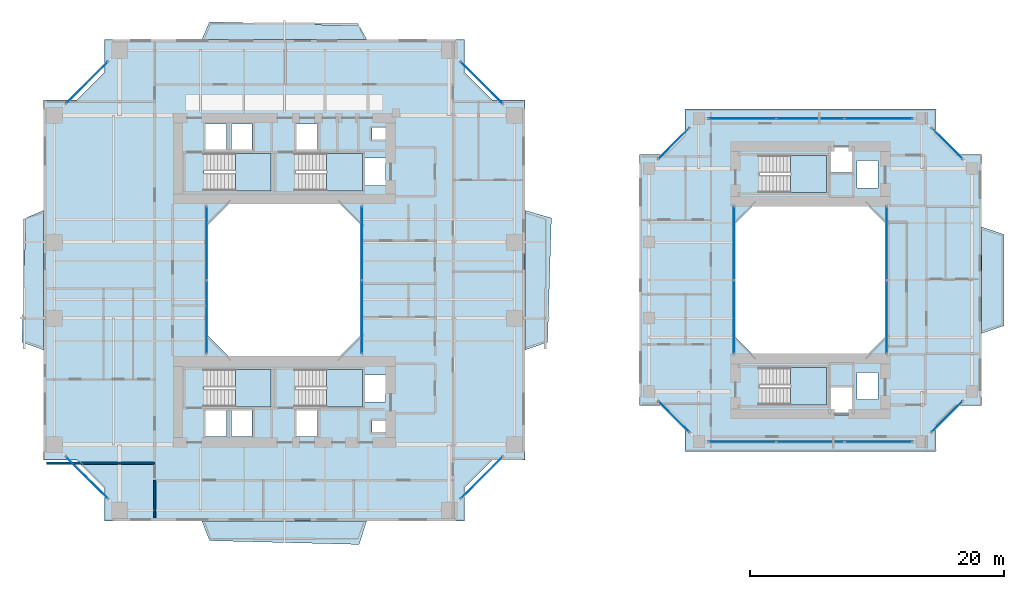
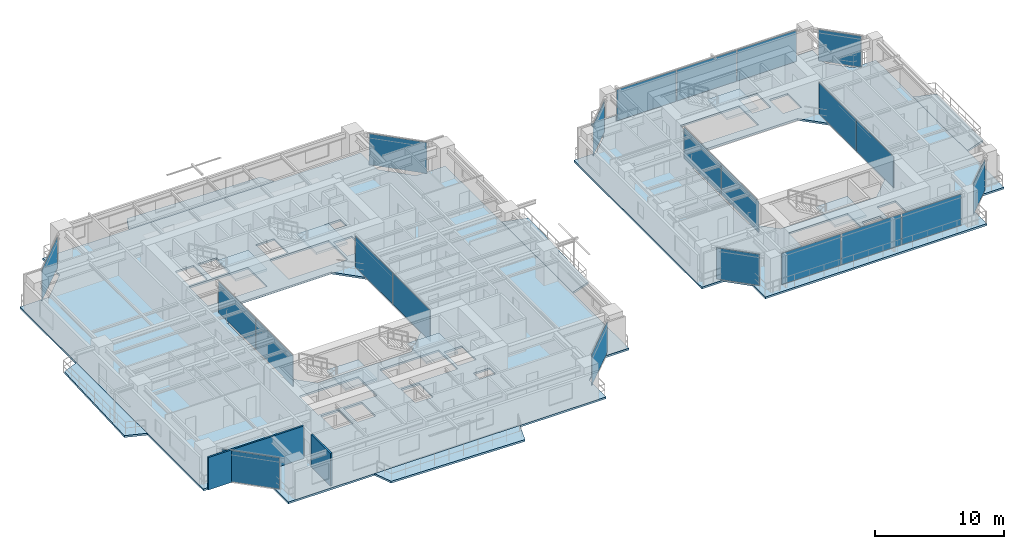
# One storey, part 11 of 23: 22 plates, 13 slabs, 2 walls, 20 elements without a shape of their own.
"""IFC4 building model written with IfcOpenShell, lengths in metres."""

from ifc_helpers import new_model, si_unit, direction, frame, frame_2d, origin, origin_2d, place, context, subcontext, project, spatial, polyline, rectangle, outline, extrude, source, transform, mapped, material, layer, layer_set, type_object, element, aggregate, save


model = new_model("IFC4")

# Units and contexts
model_context = context("Model", 3, precision=1e-05, world=origin(), true_north=direction((0.0, 1.0)))
body_context = subcontext(model_context, "Body", "Model", "MODEL_VIEW")
ifc_project = project(units=[si_unit("LENGTHUNIT", "METRE"), si_unit("AREAUNIT", "SQUARE_METRE"), si_unit("VOLUMEUNIT", "CUBIC_METRE"), si_unit("PLANEANGLEUNIT", "RADIAN"), si_unit("MASSUNIT", "GRAM", prefix="KILO"), si_unit("THERMODYNAMICTEMPERATUREUNIT", "KELVIN"), si_unit("POWERUNIT", "WATT")], contexts=[model_context])

# Site, building, storey
site_placement = place(None, origin())
site = spatial("IfcSite", under=ifc_project, at=site_placement, CompositionType="ELEMENT")
building_placement = place(site_placement, origin())
building = spatial("IfcBuilding", under=site, at=building_placement, Name="Qiaomeng Ring Towers", CompositionType="ELEMENT")
storey_placement = place(building_placement, frame((0.0, 0.0, 29.5)))
storey = spatial("IfcBuildingStorey", under=building, at=storey_placement, Name="L07", CompositionType="ELEMENT", Elevation=29.5)

# Slabs
ifc_material_1 = material(Name="Concrete C40", Category="concrete")
ifc_layer_1 = layer(ifc_material_1, 0.179931640625, Name="Concrete C40")
ifc_layer_set_1 = layer_set([ifc_layer_1], Name="Concrete C40")
slab_type_1 = type_object("IfcSlabType", Name="STR-SL-180", PredefinedType="FLOOR", material=ifc_layer_set_1)
slab_1_placement = place(storey_placement, frame((0.0, 0.0, -0.179931640625)))
element("IfcSlab", 1, at=slab_1_placement, inside=storey, type_object=slab_type_1, Name="L07 Tower 1 Annular Floor Slab", PredefinedType="FLOOR", context=body_context, shape_type="SweptSolid", body=[
    extrude(outline(polyline([(4.800048828125, 4.0), (33.199951171875, 4.0), (33.199951171875, 6.60009765625), (35.39990234375, 8.800048828125), (38.0, 8.800048828125), (38.0, 37.199951171875), (35.39990234375, 37.199951171875), (33.199951171875, 39.39990234375), (33.199951171875, 42.0), (4.800048828125, 42.0), (4.800048828125, 39.39990234375), (2.60009765625, 37.199951171875), (0.0, 37.199951171875), (0.0, 8.800048828125), (2.60009765625, 8.800048828125), (4.800048828125, 6.60009765625), (4.800048828125, 4.0)]), holes=[polyline([(12.780029296875, 10.679931640625), (12.780029296875, 12.820068359375), (14.419921875, 12.820068359375), (14.419921875, 10.679931640625), (12.780029296875, 10.679931640625)]), polyline([(14.830078125, 12.820068359375), (16.469970703125, 12.820068359375), (16.469970703125, 10.679931640625), (14.830078125, 10.679931640625), (14.830078125, 12.820068359375)]), polyline([(12.679931640625, 15.949951171875), (17.949951171875, 15.949951171875), (17.949951171875, 13.010009765625), (12.679931640625, 13.010009765625), (12.679931640625, 15.949951171875)]), polyline([(25.199951171875, 27.199951171875), (25.199951171875, 18.800048828125), (23.199951171875, 16.800048828125), (14.800048828125, 16.800048828125), (12.800048828125, 18.800048828125), (12.800048828125, 27.199951171875), (14.800048828125, 29.199951171875), (23.199951171875, 29.199951171875), (25.199951171875, 27.199951171875)]), polyline([(12.679931640625, 32.989990234375), (17.949951171875, 32.989990234375), (17.949951171875, 30.050048828125), (12.679931640625, 30.050048828125), (12.679931640625, 32.989990234375)]), polyline([(12.780029296875, 35.320068359375), (14.419921875, 35.320068359375), (14.419921875, 33.179931640625), (12.780029296875, 33.179931640625), (12.780029296875, 35.320068359375)]), polyline([(14.830078125, 35.320068359375), (16.469970703125, 35.320068359375), (16.469970703125, 33.179931640625), (14.830078125, 33.179931640625), (14.830078125, 35.320068359375)]), polyline([(19.97998046875, 35.320068359375), (21.6201171875, 35.320068359375), (21.6201171875, 33.179931640625), (19.97998046875, 33.179931640625), (19.97998046875, 35.320068359375)]), polyline([(25.919921875, 11.89990234375), (27.360107421875, 11.89990234375), (27.360107421875, 11.0), (25.919921875, 11.0), (25.919921875, 11.89990234375)]), polyline([(19.97998046875, 12.820068359375), (21.6201171875, 12.820068359375), (21.6201171875, 10.679931640625), (19.97998046875, 10.679931640625), (19.97998046875, 12.820068359375)]), polyline([(25.360107421875, 15.52001953125), (27.0, 15.52001953125), (27.0, 13.3798828125), (25.360107421875, 13.3798828125), (25.360107421875, 15.52001953125)]), polyline([(19.8798828125, 15.949951171875), (25.14990234375, 15.949951171875), (25.14990234375, 13.010009765625), (19.8798828125, 13.010009765625), (19.8798828125, 15.949951171875)]), polyline([(19.8798828125, 32.989990234375), (25.14990234375, 32.989990234375), (25.14990234375, 30.050048828125), (19.8798828125, 30.050048828125), (19.8798828125, 32.989990234375)]), polyline([(25.360107421875, 32.6201171875), (27.0, 32.6201171875), (27.0, 30.47998046875), (25.360107421875, 30.47998046875), (25.360107421875, 32.6201171875)]), polyline([(25.919921875, 35.0), (27.360107421875, 35.0), (27.360107421875, 34.10009765625), (25.919921875, 34.10009765625), (25.919921875, 35.0)])]), origin(), (0.0, 0.0, 1.0), 0.179931640625),
])
slab_2_placement = place(storey_placement, frame((0.0, 0.0, -0.179931640625)))
element("IfcSlab", 2, at=slab_2_placement, inside=storey, type_object=slab_type_1, Name="L07 Companion Tower 2 Annular Floor Slab", PredefinedType="FLOOR", context=body_context, shape_type="SweptSolid", body=[
    extrude(outline(polyline([(50.60009765625, 9.5), (70.39990234375, 9.5), (70.39990234375, 11.5), (72.0, 13.10009765625), (74.0, 13.10009765625), (74.0, 32.89990234375), (72.0, 32.89990234375), (70.39990234375, 34.5), (70.39990234375, 36.5), (50.60009765625, 36.5), (50.60009765625, 34.5), (49.0, 32.89990234375), (47.0, 32.89990234375), (47.0, 13.10009765625), (49.0, 13.10009765625), (50.60009765625, 11.5), (50.60009765625, 9.5)]), holes=[polyline([(62.1298828125, 12.3798828125), (62.1298828125, 14.52001953125), (63.77001953125, 14.52001953125), (63.77001953125, 12.3798828125), (62.1298828125, 12.3798828125)]), polyline([(56.47998046875, 13.159912109375), (56.47998046875, 16.10009765625), (61.75, 16.10009765625), (61.75, 13.159912109375), (56.47998046875, 13.159912109375)]), polyline([(64.179931640625, 13.580078125), (64.179931640625, 15.719970703125), (65.820068359375, 15.719970703125), (65.820068359375, 13.580078125), (64.179931640625, 13.580078125)]), polyline([(64.800048828125, 29.10009765625), (66.60009765625, 27.300048828125), (66.60009765625, 18.699951171875), (64.800048828125, 16.89990234375), (56.199951171875, 16.89990234375), (54.39990234375, 18.699951171875), (54.39990234375, 27.300048828125), (56.199951171875, 29.10009765625), (64.800048828125, 29.10009765625)]), polyline([(64.179931640625, 30.280029296875), (64.179931640625, 32.419921875), (65.820068359375, 32.419921875), (65.820068359375, 30.280029296875), (64.179931640625, 30.280029296875)]), polyline([(56.47998046875, 32.840087890625), (61.75, 32.840087890625), (61.75, 29.89990234375), (56.47998046875, 29.89990234375), (56.47998046875, 32.840087890625)]), polyline([(62.1298828125, 33.6201171875), (63.77001953125, 33.6201171875), (63.77001953125, 31.47998046875), (62.1298828125, 31.47998046875), (62.1298828125, 33.6201171875)])]), origin(), (0.0, 0.0, 1.0), 0.179931640625),
])
ifc_layer_2 = layer(ifc_material_1, 0.179931640625, Name="Concrete C40")
ifc_layer_set_2 = layer_set([ifc_layer_2], Name="Concrete C40")
slab_type_2 = type_object("IfcSlabType", Name="STR-SL-BAL", PredefinedType="FLOOR", material=ifc_layer_set_2)
slab_3_placement = place(storey_placement, frame((0.0, 0.0, -0.179931640625)))
element("IfcSlab", 3, at=slab_3_placement, inside=storey, type_object=slab_type_2, Name="L07 Tower 1 S Faceted Balcony Slab", PredefinedType="FLOOR", context=body_context, shape_type="SweptSolid", body=[
    extrude(outline(polyline([(24.89990234375, 2.14990234375), (13.10009765625, 2.449951171875), (12.5, 4.0), (25.5, 4.0), (24.89990234375, 2.14990234375)])), origin(), (0.0, 0.0, 1.0), 0.179931640625),
])
slab_4_placement = place(storey_placement, frame((0.0, 0.0, -0.179931640625)))
element("IfcSlab", 4, at=slab_4_placement, inside=storey, type_object=slab_type_2, Name="L07 Tower 1 E Faceted Balcony Slab", PredefinedType="FLOOR", context=body_context, shape_type="SweptSolid", body=[
    extrude(outline(polyline([(40.070068359375, 27.89990234375), (39.77001953125, 18.10009765625), (38.0, 17.5), (38.0, 28.5), (40.070068359375, 27.89990234375)])), origin(), (0.0, 0.0, 1.0), 0.179931640625),
])
slab_5_placement = place(storey_placement, frame((0.0, 0.0, -0.179931640625)))
element("IfcSlab", 5, at=slab_5_placement, inside=storey, type_object=slab_type_2, Name="L07 Tower 1 N Faceted Balcony Slab", PredefinedType="FLOOR", context=body_context, shape_type="SweptSolid", body=[
    extrude(outline(polyline([(12.5, 42.0), (13.10009765625, 43.3701171875), (24.89990234375, 43.070068359375), (25.5, 42.0), (12.5, 42.0)])), origin(), (0.0, 0.0, 1.0), 0.179931640625),
])
slab_6_placement = place(storey_placement, frame((0.0, 0.0, -0.179931640625)))
element("IfcSlab", 6, at=slab_6_placement, inside=storey, type_object=slab_type_2, Name="L07 Tower 1 W Faceted Balcony Slab", PredefinedType="FLOOR", context=body_context, shape_type="SweptSolid", body=[
    extrude(outline(polyline([(0.0, 17.5), (-1.699951171875, 18.10009765625), (-1.39990234375, 27.89990234375), (0.0, 28.5), (0.0, 17.5)])), origin(), (0.0, 0.0, 1.0), 0.179931640625),
])
slab_7_placement = place(storey_placement, frame((0.0, 0.0, -0.179931640625)))
element("IfcSlab", 7, at=slab_7_placement, inside=storey, type_object=slab_type_2, Name="L07 Companion East Faceted Balcony Slab", PredefinedType="FLOOR", context=body_context, shape_type="SweptSolid", body=[
    extrude(outline(polyline([(75.77001953125, 26.60009765625), (75.77001953125, 19.39990234375), (74.0, 18.800048828125), (74.0, 27.199951171875), (75.77001953125, 26.60009765625)])), origin(), (0.0, 0.0, 1.0), 0.179931640625),
])

# Stair, slab
ifc_material_2 = material(Name="Precast concrete C40", Category="concrete")
stair_type = type_object("IfcStairType", Name="ARC-ST-325", PredefinedType="HALF_TURN_STAIR", material=ifc_material_2)
stair_1_placement = place(storey_placement, origin())
stair_1 = element("IfcStair", 8, at=stair_1_placement, inside=storey, type_object=stair_type, Name="L07 Tower 1 North Stair 1", PredefinedType="HALF_TURN_STAIR")
ifc_layer_3 = layer(ifc_material_1, 0.199951171875, Name="Concrete C40")
ifc_layer_set_3 = layer_set([ifc_layer_3], Name="Concrete C40")
slab_type_3 = type_object("IfcSlabType", Name="STR-SL-LANDING", PredefinedType="LANDING", material=ifc_layer_set_3)
slab_8_placement = place(storey_placement, frame((0.0, 0.0, 1.425048828125)))
slab_8 = element("IfcSlab", 9, at=slab_8_placement, type_object=slab_type_3, Name="ST1 landing 1", PredefinedType="LANDING", context=body_context, shape_type="SweptSolid", body=[
    extrude(outline(polyline([(15.139892578125, 30.050048828125), (17.949951171875, 30.050048828125), (17.949951171875, 32.989990234375), (15.139892578125, 32.989990234375), (15.139892578125, 30.050048828125)])), origin(), (0.0, 0.0, 1.0), 0.199951171875),
])
aggregate(stair_1, [slab_8])

stair_2_placement = place(storey_placement, origin())
stair_2 = element("IfcStair", 10, at=stair_2_placement, inside=storey, type_object=stair_type, Name="L07 Tower 1 North Stair 2", PredefinedType="HALF_TURN_STAIR")
slab_9_placement = place(storey_placement, frame((0.0, 0.0, 1.425048828125)))
slab_9 = element("IfcSlab", 11, at=slab_9_placement, type_object=slab_type_3, Name="ST2 landing 1", PredefinedType="LANDING", context=body_context, shape_type="SweptSolid", body=[
    extrude(outline(polyline([(22.340087890625, 30.050048828125), (25.14990234375, 30.050048828125), (25.14990234375, 32.989990234375), (22.340087890625, 32.989990234375), (22.340087890625, 30.050048828125)])), origin(), (0.0, 0.0, 1.0), 0.199951171875),
])
aggregate(stair_2, [slab_9])

stair_3_placement = place(storey_placement, origin())
stair_3 = element("IfcStair", 12, at=stair_3_placement, inside=storey, type_object=stair_type, Name="L07 Tower 1 South Stair 3", PredefinedType="HALF_TURN_STAIR")
slab_10_placement = place(storey_placement, frame((0.0, 0.0, 1.425048828125)))
slab_10 = element("IfcSlab", 13, at=slab_10_placement, type_object=slab_type_3, Name="ST3 landing 1", PredefinedType="LANDING", context=body_context, shape_type="SweptSolid", body=[
    extrude(outline(polyline([(15.139892578125, 13.010009765625), (17.949951171875, 13.010009765625), (17.949951171875, 15.949951171875), (15.139892578125, 15.949951171875), (15.139892578125, 13.010009765625)])), origin(), (0.0, 0.0, 1.0), 0.199951171875),
])
aggregate(stair_3, [slab_10])

stair_4_placement = place(storey_placement, origin())
stair_4 = element("IfcStair", 14, at=stair_4_placement, inside=storey, type_object=stair_type, Name="L07 Tower 1 South Stair 4", PredefinedType="HALF_TURN_STAIR")
slab_11_placement = place(storey_placement, frame((0.0, 0.0, 1.425048828125)))
slab_11 = element("IfcSlab", 15, at=slab_11_placement, type_object=slab_type_3, Name="ST4 landing 1", PredefinedType="LANDING", context=body_context, shape_type="SweptSolid", body=[
    extrude(outline(polyline([(22.340087890625, 13.010009765625), (25.14990234375, 13.010009765625), (25.14990234375, 15.949951171875), (22.340087890625, 15.949951171875), (22.340087890625, 13.010009765625)])), origin(), (0.0, 0.0, 1.0), 0.199951171875),
])
aggregate(stair_4, [slab_11])

stair_5_placement = place(storey_placement, origin())
stair_5 = element("IfcStair", 16, at=stair_5_placement, inside=storey, type_object=stair_type, Name="L07 Companion North Stair 5", PredefinedType="HALF_TURN_STAIR")
slab_12_placement = place(storey_placement, frame((0.0, 0.0, 1.425048828125)))
slab_12 = element("IfcSlab", 17, at=slab_12_placement, type_object=slab_type_3, Name="ST5 landing 1", PredefinedType="LANDING", context=body_context, shape_type="SweptSolid", body=[
    extrude(outline(polyline([(58.93994140625, 29.89990234375), (61.75, 29.89990234375), (61.75, 32.840087890625), (58.93994140625, 32.840087890625), (58.93994140625, 29.89990234375)])), origin(), (0.0, 0.0, 1.0), 0.199951171875),
])
aggregate(stair_5, [slab_12])

stair_6_placement = place(storey_placement, origin())
stair_6 = element("IfcStair", 18, at=stair_6_placement, inside=storey, type_object=stair_type, Name="L07 Companion South Stair 6", PredefinedType="HALF_TURN_STAIR")
slab_13_placement = place(storey_placement, frame((0.0, 0.0, 1.425048828125)))
slab_13 = element("IfcSlab", 19, at=slab_13_placement, type_object=slab_type_3, Name="ST6 landing 1", PredefinedType="LANDING", context=body_context, shape_type="SweptSolid", body=[
    extrude(outline(polyline([(58.93994140625, 13.159912109375), (61.75, 13.159912109375), (61.75, 16.10009765625), (58.93994140625, 16.10009765625), (58.93994140625, 13.159912109375)])), origin(), (0.0, 0.0, 1.0), 0.199951171875),
])
aggregate(stair_6, [slab_13])

# Curtain wall, plates
ifc_material_3 = material(Name="Fluorocarbon dark-grey aluminium", Category="aluminium")
ifc_layer_4 = layer(ifc_material_3, 0.139892578125, Name="Fluorocarbon dark-grey aluminium")
ifc_layer_set_4 = layer_set([ifc_layer_4], Name="Fluorocarbon dark-grey aluminium")
curtain_wall_type_1 = type_object("IfcCurtainWallType", Name="ARC-CW-4", PredefinedType="NOTDEFINED", material=ifc_layer_set_4)
curtain_wall_1_placement = place(storey_placement, origin())
curtain_wall_1 = element("IfcCurtainWall", 20, at=curtain_wall_1_placement, inside=storey, type_object=curtain_wall_type_1, Name="L07 Curtain Wall CW4", PredefinedType="NOTDEFINED")
ifc_material_4 = material(Name="Low-E dark-grey laminated double glazing", Category="glass")
ifc_layer_5 = layer(ifc_material_4, 0.028076171875, Name="Low-E dark-grey laminated double glazing")
ifc_layer_set_5 = layer_set([ifc_layer_5], Name="Low-E dark-grey laminated double glazing")
plate_type = type_object("IfcPlateType", Name="ARC-CWP-DARK", PredefinedType="CURTAIN_PANEL", material=ifc_layer_set_5)
shared_shape_1 = source(origin(), body_context, "Body", "SweptSolid", [
    extrude(rectangle(XDim=5.75244140625, YDim=0.028076171875, at=origin_2d()), origin(), (0.0, 0.0, 1.0), 2.93994140625),
])
plate_1_placement = place(storey_placement, frame((12.8798828125, 20.09130859375, 0.06494140625), z_axis=(0.0, 0.0, 1.0), x_axis=(0.0, 1.0, 0.0)))
plate_1 = element("IfcPlate", 21, at=plate_1_placement, type_object=plate_type, Name="CW4 panel 1.1", PredefinedType="CURTAIN_PANEL", context=body_context, shape_type="MappedRepresentation", body=[
    mapped(shared_shape_1, transform((0.0, 0.0, 0.0), x_axis=(1.0, 0.0, 0.0), y_axis=(0.0, 1.0, 0.0), z_axis=(0.0, 0.0, 1.0), scale=1.0)),
])
plate_2_placement = place(storey_placement, frame((12.8798828125, 25.90869140625, 0.06494140625), z_axis=(0.0, 0.0, 1.0), x_axis=(0.0, 1.0, 0.0)))
plate_2 = element("IfcPlate", 22, at=plate_2_placement, type_object=plate_type, Name="CW4 panel 2.1", PredefinedType="CURTAIN_PANEL", context=body_context, shape_type="MappedRepresentation", body=[
    mapped(shared_shape_1, transform((0.0, 0.0, 0.0), x_axis=(1.0, 0.0, 0.0), y_axis=(0.0, 1.0, 0.0), z_axis=(0.0, 0.0, 1.0), scale=1.0)),
])
aggregate(curtain_wall_1, [plate_1, plate_2])

curtain_wall_2_placement = place(storey_placement, origin())
curtain_wall_2 = element("IfcCurtainWall", 23, at=curtain_wall_2_placement, inside=storey, type_object=curtain_wall_type_1, Name="L07 Curtain Wall CW4", PredefinedType="NOTDEFINED")
plate_3_placement = place(storey_placement, frame((25.1201171875, 20.09130859375, 0.06494140625), z_axis=(0.0, 0.0, 1.0), x_axis=(0.0, 1.0, 0.0)))
plate_3 = element("IfcPlate", 24, at=plate_3_placement, type_object=plate_type, Name="CW4 panel 1.1", PredefinedType="CURTAIN_PANEL", context=body_context, shape_type="MappedRepresentation", body=[
    mapped(shared_shape_1, transform((0.0, 0.0, 0.0), x_axis=(1.0, 0.0, 0.0), y_axis=(0.0, 1.0, 0.0), z_axis=(0.0, 0.0, 1.0), scale=1.0)),
])
plate_4_placement = place(storey_placement, frame((25.1201171875, 25.90869140625, 0.06494140625), z_axis=(0.0, 0.0, 1.0), x_axis=(0.0, 1.0, 0.0)))
plate_4 = element("IfcPlate", 25, at=plate_4_placement, type_object=plate_type, Name="CW4 panel 2.1", PredefinedType="CURTAIN_PANEL", context=body_context, shape_type="MappedRepresentation", body=[
    mapped(shared_shape_1, transform((0.0, 0.0, 0.0), x_axis=(1.0, 0.0, 0.0), y_axis=(0.0, 1.0, 0.0), z_axis=(0.0, 0.0, 1.0), scale=1.0)),
])
aggregate(curtain_wall_2, [plate_3, plate_4])

curtain_wall_3_placement = place(storey_placement, origin())
curtain_wall_3 = element("IfcCurtainWall", 26, at=curtain_wall_3_placement, inside=storey, type_object=curtain_wall_type_1, Name="L07 Curtain Wall CW4", PredefinedType="NOTDEFINED")
plate_5_placement = place(storey_placement, frame((54.47998046875, 20.09130859375, 0.06494140625), z_axis=(0.0, 0.0, 1.0), x_axis=(0.0, 1.0, 0.0)))
plate_5 = element("IfcPlate", 27, at=plate_5_placement, type_object=plate_type, Name="CW4 panel 1.1", PredefinedType="CURTAIN_PANEL", context=body_context, shape_type="MappedRepresentation", body=[
    mapped(shared_shape_1, transform((0.0, 0.0, 0.0), x_axis=(1.0, 0.0, 0.0), y_axis=(0.0, 1.0, 0.0), z_axis=(0.0, 0.0, 1.0), scale=1.0)),
])
plate_6_placement = place(storey_placement, frame((54.47998046875, 25.90869140625, 0.06494140625), z_axis=(0.0, 0.0, 1.0), x_axis=(0.0, 1.0, 0.0)))
plate_6 = element("IfcPlate", 28, at=plate_6_placement, type_object=plate_type, Name="CW4 panel 2.1", PredefinedType="CURTAIN_PANEL", context=body_context, shape_type="MappedRepresentation", body=[
    mapped(shared_shape_1, transform((0.0, 0.0, 0.0), x_axis=(1.0, 0.0, 0.0), y_axis=(0.0, 1.0, 0.0), z_axis=(0.0, 0.0, 1.0), scale=1.0)),
])
aggregate(curtain_wall_3, [plate_5, plate_6])

curtain_wall_4_placement = place(storey_placement, origin())
curtain_wall_4 = element("IfcCurtainWall", 29, at=curtain_wall_4_placement, inside=storey, type_object=curtain_wall_type_1, Name="L07 Curtain Wall CW4", PredefinedType="NOTDEFINED")
plate_7_placement = place(storey_placement, frame((66.52001953125, 20.09130859375, 0.06494140625), z_axis=(0.0, 0.0, 1.0), x_axis=(0.0, 1.0, 0.0)))
plate_7 = element("IfcPlate", 30, at=plate_7_placement, type_object=plate_type, Name="CW4 panel 1.1", PredefinedType="CURTAIN_PANEL", context=body_context, shape_type="MappedRepresentation", body=[
    mapped(shared_shape_1, transform((0.0, 0.0, 0.0), x_axis=(1.0, 0.0, 0.0), y_axis=(0.0, 1.0, 0.0), z_axis=(0.0, 0.0, 1.0), scale=1.0)),
])
plate_8_placement = place(storey_placement, frame((66.52001953125, 25.90869140625, 0.06494140625), z_axis=(0.0, 0.0, 1.0), x_axis=(0.0, 1.0, 0.0)))
plate_8 = element("IfcPlate", 31, at=plate_8_placement, type_object=plate_type, Name="CW4 panel 2.1", PredefinedType="CURTAIN_PANEL", context=body_context, shape_type="MappedRepresentation", body=[
    mapped(shared_shape_1, transform((0.0, 0.0, 0.0), x_axis=(1.0, 0.0, 0.0), y_axis=(0.0, 1.0, 0.0), z_axis=(0.0, 0.0, 1.0), scale=1.0)),
])
aggregate(curtain_wall_4, [plate_7, plate_8])

# Curtain wall, plate
ifc_layer_6 = layer(ifc_material_3, 0.159912109375, Name="Fluorocarbon dark-grey aluminium")
ifc_layer_set_6 = layer_set([ifc_layer_6], Name="Fluorocarbon dark-grey aluminium")
curtain_wall_type_2 = type_object("IfcCurtainWallType", Name="ARC-CW-2", PredefinedType="NOTDEFINED", material=ifc_layer_set_6)
curtain_wall_5_placement = place(storey_placement, origin())
curtain_wall_5 = element("IfcCurtainWall", 32, at=curtain_wall_5_placement, inside=storey, type_object=curtain_wall_type_2, Name="L07 Curtain Wall CW2", PredefinedType="NOTDEFINED")
shared_shape_2 = source(origin(), body_context, "Body", "SweptSolid", [
    extrude(rectangle(XDim=4.6259765625, YDim=0.028076171875, at=origin_2d()), origin(), (0.0, 0.0, 1.0), 2.93994140625),
])
plate_9_placement = place(storey_placement, frame((34.574951171875, 7.425048828125, 0.06494140625), z_axis=(0.0, 0.0, 1.0), x_axis=(0.707106781187, 0.707106781187, 0.0)))
plate_9 = element("IfcPlate", 33, at=plate_9_placement, type_object=plate_type, Name="CW2 panel 1.1", PredefinedType="CURTAIN_PANEL", context=body_context, shape_type="MappedRepresentation", body=[
    mapped(shared_shape_2, transform((0.0, 0.0, 0.0), x_axis=(1.0, 0.0, 0.0), y_axis=(0.0, 1.0, 0.0), z_axis=(0.0, 0.0, 1.0), scale=1.0)),
])
aggregate(curtain_wall_5, [plate_9])

curtain_wall_6_placement = place(storey_placement, origin())
curtain_wall_6 = element("IfcCurtainWall", 34, at=curtain_wall_6_placement, inside=storey, type_object=curtain_wall_type_2, Name="L07 Curtain Wall CW2", PredefinedType="NOTDEFINED")
plate_10_placement = place(storey_placement, frame((34.574951171875, 38.574951171875, 0.06494140625), z_axis=(0.0, 0.0, 1.0), x_axis=(-0.707106781187, 0.707106781187, 0.0)))
plate_10 = element("IfcPlate", 35, at=plate_10_placement, type_object=plate_type, Name="CW2 panel 1.1", PredefinedType="CURTAIN_PANEL", context=body_context, shape_type="MappedRepresentation", body=[
    mapped(shared_shape_2, transform((0.0, 0.0, 0.0), x_axis=(1.0, 0.0, 0.0), y_axis=(0.0, 1.0, 0.0), z_axis=(0.0, 0.0, 1.0), scale=1.0)),
])
aggregate(curtain_wall_6, [plate_10])

curtain_wall_7_placement = place(storey_placement, origin())
curtain_wall_7 = element("IfcCurtainWall", 36, at=curtain_wall_7_placement, inside=storey, type_object=curtain_wall_type_2, Name="L07 Curtain Wall CW2", PredefinedType="NOTDEFINED")
plate_11_placement = place(storey_placement, frame((3.425048828125, 38.574951171875, 0.06494140625), z_axis=(0.0, 0.0, 1.0), x_axis=(-0.707106781187, -0.707106781187, 0.0)))
plate_11 = element("IfcPlate", 37, at=plate_11_placement, type_object=plate_type, Name="CW2 panel 1.1", PredefinedType="CURTAIN_PANEL", context=body_context, shape_type="MappedRepresentation", body=[
    mapped(shared_shape_2, transform((0.0, 0.0, 0.0), x_axis=(1.0, 0.0, 0.0), y_axis=(0.0, 1.0, 0.0), z_axis=(0.0, 0.0, 1.0), scale=1.0)),
])
aggregate(curtain_wall_7, [plate_11])

curtain_wall_8_placement = place(storey_placement, origin())
curtain_wall_8 = element("IfcCurtainWall", 38, at=curtain_wall_8_placement, inside=storey, type_object=curtain_wall_type_2, Name="L07 Curtain Wall CW2", PredefinedType="NOTDEFINED")
plate_12_placement = place(storey_placement, frame((3.425048828125, 7.425048828125, 0.06494140625), z_axis=(0.0, 0.0, 1.0), x_axis=(0.707106781187, -0.707106781187, 0.0)))
plate_12 = element("IfcPlate", 39, at=plate_12_placement, type_object=plate_type, Name="CW2 panel 1.1", PredefinedType="CURTAIN_PANEL", context=body_context, shape_type="MappedRepresentation", body=[
    mapped(shared_shape_2, transform((0.0, 0.0, 0.0), x_axis=(1.0, 0.0, 0.0), y_axis=(0.0, 1.0, 0.0), z_axis=(0.0, 0.0, 1.0), scale=1.0)),
])
aggregate(curtain_wall_8, [plate_12])

# Curtain wall, plates
ifc_layer_7 = layer(ifc_material_3, 0.14990234375, Name="Fluorocarbon dark-grey aluminium")
ifc_layer_set_7 = layer_set([ifc_layer_7], Name="Fluorocarbon dark-grey aluminium")
curtain_wall_type_3 = type_object("IfcCurtainWallType", Name="ARC-CW-5", PredefinedType="NOTDEFINED", material=ifc_layer_set_7)
curtain_wall_9_placement = place(storey_placement, origin())
curtain_wall_9 = element("IfcCurtainWall", 40, at=curtain_wall_9_placement, inside=storey, type_object=curtain_wall_type_3, Name="L07 Curtain Wall CW5", PredefinedType="NOTDEFINED")
shared_shape_3 = source(origin(), body_context, "Body", "SweptSolid", [
    extrude(rectangle(XDim=5.284912109375, YDim=0.028076171875, at=origin_2d()), origin(), (0.0, 0.0, 1.0), 2.93994140625),
])
plate_13_placement = place(storey_placement, frame((55.12744140625, 35.75, 0.06494140625), z_axis=(0.0, 0.0, 1.0), x_axis=(1.0, 0.0, 0.0)))
plate_13 = element("IfcPlate", 41, at=plate_13_placement, type_object=plate_type, Name="CW5 panel 1.1", PredefinedType="CURTAIN_PANEL", context=body_context, shape_type="MappedRepresentation", body=[
    mapped(shared_shape_3, transform((0.0, 0.0, 0.0), x_axis=(1.0, 0.0, 0.0), y_axis=(0.0, 1.0, 0.0), z_axis=(0.0, 0.0, 1.0), scale=1.0)),
])
plate_14_placement = place(storey_placement, frame((65.87255859375, 35.75, 0.06494140625), z_axis=(0.0, 0.0, 1.0), x_axis=(1.0, 0.0, 0.0)))
plate_14 = element("IfcPlate", 42, at=plate_14_placement, type_object=plate_type, Name="CW5 panel 3.1", PredefinedType="CURTAIN_PANEL", context=body_context, shape_type="MappedRepresentation", body=[
    mapped(shared_shape_3, transform((0.0, 0.0, 0.0), x_axis=(1.0, 0.0, 0.0), y_axis=(0.0, 1.0, 0.0), z_axis=(0.0, 0.0, 1.0), scale=1.0)),
])

curtain_wall_10_placement = place(storey_placement, origin())
curtain_wall_10 = element("IfcCurtainWall", 43, at=curtain_wall_10_placement, inside=storey, type_object=curtain_wall_type_3, Name="L07 Curtain Wall CW5", PredefinedType="NOTDEFINED")
plate_15_placement = place(storey_placement, frame((55.12744140625, 10.25, 0.06494140625), z_axis=(0.0, 0.0, 1.0), x_axis=(1.0, 0.0, 0.0)))
plate_15 = element("IfcPlate", 44, at=plate_15_placement, type_object=plate_type, Name="CW5 panel 1.1", PredefinedType="CURTAIN_PANEL", context=body_context, shape_type="MappedRepresentation", body=[
    mapped(shared_shape_3, transform((0.0, 0.0, 0.0), x_axis=(1.0, 0.0, 0.0), y_axis=(0.0, 1.0, 0.0), z_axis=(0.0, 0.0, 1.0), scale=1.0)),
])
plate_16_placement = place(storey_placement, frame((65.87255859375, 10.25, 0.06494140625), z_axis=(0.0, 0.0, 1.0), x_axis=(1.0, 0.0, 0.0)))
plate_16 = element("IfcPlate", 45, at=plate_16_placement, type_object=plate_type, Name="CW5 panel 3.1", PredefinedType="CURTAIN_PANEL", context=body_context, shape_type="MappedRepresentation", body=[
    mapped(shared_shape_3, transform((0.0, 0.0, 0.0), x_axis=(1.0, 0.0, 0.0), y_axis=(0.0, 1.0, 0.0), z_axis=(0.0, 0.0, 1.0), scale=1.0)),
])

# Plate
shared_shape_4 = source(origin(), body_context, "Body", "SweptSolid", [
    extrude(rectangle(XDim=5.320068359375, YDim=0.028076171875, at=origin_2d()), origin(), (0.0, 0.0, 1.0), 2.93994140625),
])
plate_17_placement = place(storey_placement, frame((60.5, 35.75, 0.06494140625), z_axis=(0.0, 0.0, 1.0), x_axis=(1.0, 0.0, 0.0)))
plate_17 = element("IfcPlate", 46, at=plate_17_placement, type_object=plate_type, Name="CW5 panel 2.1", PredefinedType="CURTAIN_PANEL", context=body_context, shape_type="MappedRepresentation", body=[
    mapped(shared_shape_4, transform((0.0, 0.0, 0.0), x_axis=(1.0, 0.0, 0.0), y_axis=(0.0, 1.0, 0.0), z_axis=(0.0, 0.0, 1.0), scale=1.0)),
])

aggregate(curtain_wall_9, [plate_13, plate_17, plate_14])

plate_18_placement = place(storey_placement, frame((60.5, 10.25, 0.06494140625), z_axis=(0.0, 0.0, 1.0), x_axis=(1.0, 0.0, 0.0)))
plate_18 = element("IfcPlate", 47, at=plate_18_placement, type_object=plate_type, Name="CW5 panel 2.1", PredefinedType="CURTAIN_PANEL", context=body_context, shape_type="MappedRepresentation", body=[
    mapped(shared_shape_4, transform((0.0, 0.0, 0.0), x_axis=(1.0, 0.0, 0.0), y_axis=(0.0, 1.0, 0.0), z_axis=(0.0, 0.0, 1.0), scale=1.0)),
])

aggregate(curtain_wall_10, [plate_15, plate_18, plate_16])

# Curtain wall, plate
curtain_wall_11_placement = place(storey_placement, origin())
curtain_wall_11 = element("IfcCurtainWall", 48, at=curtain_wall_11_placement, inside=storey, type_object=curtain_wall_type_3, Name="L07 Curtain Wall CW5", PredefinedType="NOTDEFINED")
shared_shape_5 = source(origin(), body_context, "Body", "SweptSolid", [
    extrude(rectangle(XDim=3.423828125, YDim=0.028076171875, at=origin_2d()), origin(), (0.0, 0.0, 1.0), 2.93994140625),
])
plate_19_placement = place(storey_placement, frame((71.27490234375, 12.22509765625, 0.06494140625), z_axis=(0.0, 0.0, 1.0), x_axis=(0.707106781187, 0.707106781187, 0.0)))
plate_19 = element("IfcPlate", 49, at=plate_19_placement, type_object=plate_type, Name="CW5 panel 1.1", PredefinedType="CURTAIN_PANEL", context=body_context, shape_type="MappedRepresentation", body=[
    mapped(shared_shape_5, transform((0.0, 0.0, 0.0), x_axis=(1.0, 0.0, 0.0), y_axis=(0.0, 1.0, 0.0), z_axis=(0.0, 0.0, 1.0), scale=1.0)),
])
aggregate(curtain_wall_11, [plate_19])

curtain_wall_12_placement = place(storey_placement, origin())
curtain_wall_12 = element("IfcCurtainWall", 50, at=curtain_wall_12_placement, inside=storey, type_object=curtain_wall_type_3, Name="L07 Curtain Wall CW5", PredefinedType="NOTDEFINED")
plate_20_placement = place(storey_placement, frame((71.27490234375, 33.77490234375, 0.06494140625), z_axis=(0.0, 0.0, 1.0), x_axis=(-0.707106781187, 0.707106781187, 0.0)))
plate_20 = element("IfcPlate", 51, at=plate_20_placement, type_object=plate_type, Name="CW5 panel 1.1", PredefinedType="CURTAIN_PANEL", context=body_context, shape_type="MappedRepresentation", body=[
    mapped(shared_shape_5, transform((0.0, 0.0, 0.0), x_axis=(1.0, 0.0, 0.0), y_axis=(0.0, 1.0, 0.0), z_axis=(0.0, 0.0, 1.0), scale=1.0)),
])
aggregate(curtain_wall_12, [plate_20])

curtain_wall_13_placement = place(storey_placement, origin())
curtain_wall_13 = element("IfcCurtainWall", 52, at=curtain_wall_13_placement, inside=storey, type_object=curtain_wall_type_3, Name="L07 Curtain Wall CW5", PredefinedType="NOTDEFINED")
plate_21_placement = place(storey_placement, frame((49.72509765625, 33.77490234375, 0.06494140625), z_axis=(0.0, 0.0, 1.0), x_axis=(-0.707106781187, -0.707106781187, 0.0)))
plate_21 = element("IfcPlate", 53, at=plate_21_placement, type_object=plate_type, Name="CW5 panel 1.1", PredefinedType="CURTAIN_PANEL", context=body_context, shape_type="MappedRepresentation", body=[
    mapped(shared_shape_5, transform((0.0, 0.0, 0.0), x_axis=(1.0, 0.0, 0.0), y_axis=(0.0, 1.0, 0.0), z_axis=(0.0, 0.0, 1.0), scale=1.0)),
])
aggregate(curtain_wall_13, [plate_21])

curtain_wall_14_placement = place(storey_placement, origin())
curtain_wall_14 = element("IfcCurtainWall", 54, at=curtain_wall_14_placement, inside=storey, type_object=curtain_wall_type_3, Name="L07 Curtain Wall CW5", PredefinedType="NOTDEFINED")
plate_22_placement = place(storey_placement, frame((49.72509765625, 12.22509765625, 0.06494140625), z_axis=(0.0, 0.0, 1.0), x_axis=(0.707106781187, -0.707106781187, 0.0)))
plate_22 = element("IfcPlate", 55, at=plate_22_placement, type_object=plate_type, Name="CW5 panel 1.1", PredefinedType="CURTAIN_PANEL", context=body_context, shape_type="MappedRepresentation", body=[
    mapped(shared_shape_5, transform((0.0, 0.0, 0.0), x_axis=(1.0, 0.0, 0.0), y_axis=(0.0, 1.0, 0.0), z_axis=(0.0, 0.0, 1.0), scale=1.0)),
])
aggregate(curtain_wall_14, [plate_22])

# Walls
ifc_material_5 = material(Name="Gypsum fireboard steel-stud partition", Category="steel")
ifc_layer_8 = layer(ifc_material_5, 0.14990234375, Name="Gypsum fireboard steel-stud partition")
ifc_layer_set_8 = layer_set([ifc_layer_8], Name="Gypsum fireboard steel-stud partition")
wall_type = type_object("IfcWallType", Name="ARC-WL-PW3", PredefinedType="PARTITIONING", material=ifc_layer_set_8)
wall_1_placement = place(storey_placement, frame((8.780029296875, 4.25, 0.0), z_axis=(0.0, 0.0, 1.0), x_axis=(0.0, 1.0, 0.0)))
element("IfcWall", 56, at=wall_1_placement, inside=storey, type_object=wall_type, Name="L07 Interior Wall PW3", PredefinedType="PARTITIONING", context=body_context, shape_type="SweptSolid", body=[
    extrude(rectangle(XDim=2.9599609375, YDim=0.14990234375, at=frame_2d((1.47998046875, 0.0))), origin(), (0.0, 0.0, 1.0), 3.070068359375),
])
wall_2_placement = place(storey_placement, frame((0.25, 8.570068359375, 0.0), z_axis=(0.0, 0.0, 1.0), x_axis=(1.0, 0.0, 0.0)))
element("IfcWall", 57, at=wall_2_placement, inside=storey, type_object=wall_type, Name="L07 Interior Wall PW3", PredefinedType="PARTITIONING", context=body_context, shape_type="SweptSolid", body=[
    extrude(rectangle(XDim=8.530029296875, YDim=0.14990234375, at=frame_2d((4.26513671875, 0.0))), origin(), (0.0, 0.0, 1.0), 3.070068359375),
])

save(model, "model.ifc")
